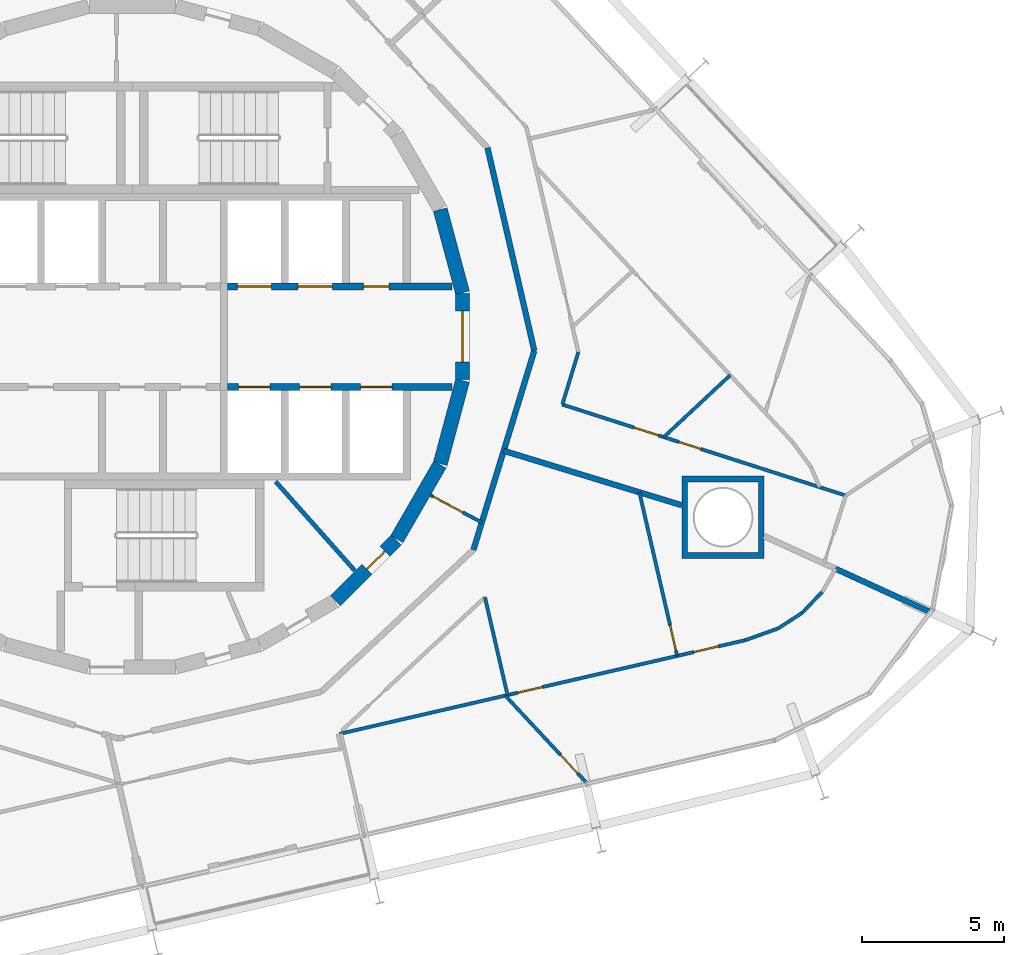
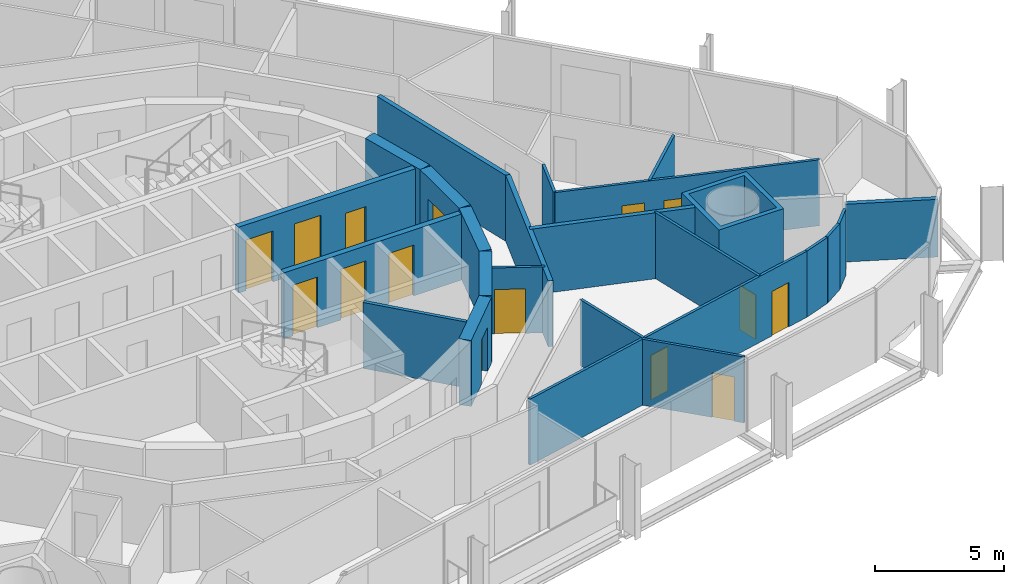
# One storey, part 14 of 18: 24 walls, 15 doors, 15 openings.
"""IFC4 building model written with IfcOpenShell, lengths in metres."""

from ifc_helpers import new_model, si_unit, direction, frame, frame_2d, origin, place, context, subcontext, project, spatial, polyline, rectangle, outline, extrude, material, layer, layer_set, type_object, element, fill, save


model = new_model("IFC4")

# Units and contexts
model_context = context("Model", 3, precision=1e-05, world=origin(), true_north=direction((0.0, 1.0)))
body_context = subcontext(model_context, "Body", "Model", "MODEL_VIEW")
ifc_project = project(units=[si_unit("LENGTHUNIT", "METRE"), si_unit("AREAUNIT", "SQUARE_METRE"), si_unit("VOLUMEUNIT", "CUBIC_METRE"), si_unit("PLANEANGLEUNIT", "RADIAN"), si_unit("MASSUNIT", "GRAM", prefix="KILO")], contexts=[model_context])

# Site, building, storey
site_placement = place(None, origin())
site = spatial("IfcSite", under=ifc_project, at=site_placement, CompositionType="ELEMENT")
building_placement = place(site_placement, origin())
building = spatial("IfcBuilding", under=site, at=building_placement, Name="Spindle Arch Residences", CompositionType="ELEMENT")
storey_placement = place(building_placement, frame((0.0, 0.0, 116.89990234375)))
storey = spatial("IfcBuildingStorey", under=building, at=storey_placement, Name="L28", CompositionType="ELEMENT", Elevation=116.89990234375)

# Wall, opening, door
ifc_material_1 = material(Name="Concrete C50/60", Category="concrete")
ifc_layer_1 = layer(ifc_material_1, 0.5)
ifc_layer_set_1 = layer_set([ifc_layer_1], Name="Core outline wall 500")
wall_type_1 = type_object("IfcWallType", Name="Core outline wall 500", PredefinedType="SHEAR", material=ifc_layer_set_1)
wall_1_placement = place(storey_placement, frame((7.163818359375, -9.30810546875, 0.0), z_axis=(0.0, 0.0, 1.0), x_axis=(0.707106781187, 0.707106781187, 0.0)))
wall_1 = element("IfcWall", 1, at=wall_1_placement, inside=storey, type_object=wall_type_1, Name="Core outline wall 3", PredefinedType="SHEAR", context=body_context, shape_type="SweptSolid", body=[
    extrude(rectangle(XDim=3.032470703125, YDim=0.5, at=frame_2d((1.51611328125, 0.0))), origin(), (0.0, 0.0, 1.0), 3.1201171875),
])
opening_1_placement = place(wall_1_placement, frame((1.56640625, 0.0, 0.0)))
opening_1 = element("IfcOpeningElement", 2, at=opening_1_placement, cuts=wall_1, Name="Opening R3A1-WD08", PredefinedType="OPENING", context=body_context, shape_type="SweptSolid", body=[
    extrude(rectangle(XDim=0.89990234375, YDim=2.10009765625, at=frame_2d((0.449951171875, 1.050048828125))), frame((0.0, 0.260009765625, 0.0), z_axis=(0.0, -1.0, 0.0), x_axis=(1.0, 0.0, 0.0)), (0.0, 0.0, 1.0), 0.52001953125),
])
ifc_material_2 = material(Name="Steel, fire-resisting door", Category="steel")
door_type_1 = type_object("IfcDoorType", Name="Service room door 900x2100", OperationType="SINGLE_SWING_LEFT", PredefinedType="DOOR", material=ifc_material_2)
door_1_placement = place(opening_1_placement, origin())
door_1 = element("IfcDoor", 3, at=door_1_placement, inside=storey, type_object=door_type_1, Name="Service room door R3A1-WD08", OperationType="SINGLE_SWING_LEFT", OverallHeight=2.10009765625, OverallWidth=0.89990234375, PredefinedType="DOOR", context=body_context, shape_type="SweptSolid", body=[
    extrude(rectangle(XDim=0.89990234375, YDim=2.10009765625, at=frame_2d((0.449951171875, 1.050048828125))), frame((0.0, 0.02490234375, 0.0), z_axis=(0.0, -1.0, 0.0), x_axis=(1.0, 0.0, 0.0)), (0.0, 0.0, 1.0), 0.050048828125),
])
fill(opening_1, door_1)

# Walls
for number, where, z_axis, x_axis, name in (
    (4, (9.32861328125, -7.13671875, 0.0), (0.0, 0.0, 1.0), (0.500087131594, 0.865975092491, 0.0), "Core outline wall 4"),
    (5, (10.858154296875, -4.479248046875, 0.0), (0.0, 0.0, 1.0), (0.258734743916, 0.965948410781, 0.0), "Core outline wall 5"),
):
    element("IfcWall", number, at=place(storey_placement, frame(where, z_axis=z_axis, x_axis=x_axis)), inside=storey, type_object=wall_type_1, Name=name, PredefinedType="SHEAR", context=body_context, shape_type="SweptSolid", body=[
        extrude(rectangle(XDim=3.03271484375, YDim=0.5, at=frame_2d((1.516357421875, 0.0))), origin(), (0.0, 0.0, 1.0), 3.1201171875),
    ])

# Wall, opening, door
wall_2_placement = place(storey_placement, frame((11.647216796875, -1.516357421875, 0.0), z_axis=(0.0, 0.0, 1.0), x_axis=(0.0, 1.0, 0.0)))
wall_2 = element("IfcWall", 6, at=wall_2_placement, inside=storey, type_object=wall_type_1, Name="Core outline wall 6", PredefinedType="SHEAR", context=body_context, shape_type="SweptSolid", body=[
    extrude(rectangle(XDim=3.03271484375, YDim=0.5, at=frame_2d((1.516357421875, 0.0))), origin(), (0.0, 0.0, 1.0), 3.1201171875),
])
opening_2_placement = place(wall_2_placement, frame((0.6162109375, 0.0, 0.0)))
opening_2 = element("IfcOpeningElement", 7, at=opening_2_placement, cuts=wall_2, Name="Opening R3A1-FE01", PredefinedType="OPENING", context=body_context, shape_type="SweptSolid", body=[
    extrude(rectangle(XDim=1.800048828125, YDim=2.10009765625, at=frame_2d((0.89990234375, 1.050048828125))), frame((0.0, 0.260009765625, 0.0), z_axis=(0.0, -1.0, 0.0), x_axis=(1.0, 0.0, 0.0)), (0.0, 0.0, 1.0), 0.52001953125),
])
ifc_material_3 = material(Name="Steel, fire-resisting door", Category="steel")
door_type_2 = type_object("IfcDoorType", Name="Fire-lift lobby door 1800x2100", OperationType="DOUBLE_DOOR_SINGLE_SWING", PredefinedType="DOOR", material=ifc_material_3)
door_2_placement = place(opening_2_placement, origin())
door_2 = element("IfcDoor", 8, at=door_2_placement, inside=storey, type_object=door_type_2, Name="Fire-lift lobby door R3A1-FE01", OperationType="DOUBLE_DOOR_SINGLE_SWING", OverallHeight=2.10009765625, OverallWidth=1.800048828125, PredefinedType="DOOR", context=body_context, shape_type="SweptSolid", body=[
    extrude(rectangle(XDim=1.800048828125, YDim=2.10009765625, at=frame_2d((0.89990234375, 1.050048828125))), frame((0.0, 0.02490234375, 0.0), z_axis=(0.0, -1.0, 0.0), x_axis=(1.0, 0.0, 0.0)), (0.0, 0.0, 1.0), 0.050048828125),
])
fill(opening_2, door_2)

# Wall
wall_3_placement = place(storey_placement, frame((11.642822265625, 1.5498046875, 0.0), z_axis=(0.0, 0.0, 1.0), x_axis=(-0.258734743916, 0.965948410781, 0.0)))
element("IfcWall", 9, at=wall_3_placement, inside=storey, type_object=wall_type_1, Name="Core outline wall 7", PredefinedType="SHEAR", context=body_context, shape_type="SweptSolid", body=[
    extrude(rectangle(XDim=3.03271484375, YDim=0.5, at=frame_2d((1.516357421875, 0.0))), origin(), (0.0, 0.0, 1.0), 3.1201171875),
])

# Wall, opening, door
ifc_material_4 = material(Name="Plasterboard on steel studs", Category="steel")
ifc_layer_2 = layer(ifc_material_4, 0.1201171875)
ifc_layer_set_2 = layer_set([ifc_layer_2], Name="Corridor division wall 120")
wall_type_2 = type_object("IfcWallType", Name="Corridor division wall 120", PredefinedType="PARTITIONING", material=ifc_layer_set_2)
wall_4_placement = place(storey_placement, frame((10.510986328125, -5.5888671875, 0.0), z_axis=(0.0, 0.0, 1.0), x_axis=(0.882987820808, -0.469395897196, 0.0)))
wall_4 = element("IfcWall", 10, at=wall_4_placement, inside=storey, type_object=wall_type_2, Name="Corridor division wall R3A1-W002", PredefinedType="PARTITIONING", context=body_context, shape_type="SweptSolid", body=[
    extrude(rectangle(XDim=2.0517578125, YDim=0.1201171875, at=frame_2d((1.02587890625, 0.0))), origin(), (0.0, 0.0, 1.0), 3.1201171875),
])
opening_3_placement = place(wall_4_placement, frame((0.10009765625, 0.0, 0.0)))
opening_3 = element("IfcOpeningElement", 11, at=opening_3_placement, cuts=wall_4, Name="Opening R3A1-CD02", PredefinedType="OPENING", context=body_context, shape_type="SweptSolid", body=[
    extrude(rectangle(XDim=1.199951171875, YDim=2.10009765625, at=frame_2d((0.60009765625, 1.050048828125))), frame((0.0, 0.070068359375, 0.0), z_axis=(0.0, -1.0, 0.0), x_axis=(1.0, 0.0, 0.0)), (0.0, 0.0, 1.0), 0.14013671875),
])
ifc_material_5 = material(Name="Steel, fire-resisting door", Category="steel")
door_type_3 = type_object("IfcDoorType", Name="Corridor division door 1200x2100", OperationType="NOTDEFINED", PredefinedType="DOOR", material=ifc_material_5)
door_3_placement = place(opening_3_placement, origin())
door_3 = element("IfcDoor", 12, at=door_3_placement, inside=storey, type_object=door_type_3, Name="Corridor division door R3A1-CD02", OperationType="DOUBLE_DOOR_SINGLE_SWING", OverallHeight=2.10009765625, OverallWidth=1.199951171875, PredefinedType="DOOR", context=body_context, shape_type="SweptSolid", body=[
    extrude(rectangle(XDim=1.199951171875, YDim=2.10009765625, at=frame_2d((0.60009765625, 1.050048828125))), frame((0.0, 0.02490234375, 0.0), z_axis=(0.0, -1.0, 0.0), x_axis=(1.0, 0.0, 0.0)), (0.0, 0.0, 1.0), 0.050048828125),
])
fill(opening_3, door_3)

# Walls
ifc_material_6 = material(Name="Calcium silicate block, plastered")
ifc_layer_3 = layer(ifc_material_6, 0.199951171875)
ifc_layer_set_3 = layer_set([ifc_layer_3], Name="Corridor wall 200")
wall_type_3 = type_object("IfcWallType", Name="Corridor wall 200", PredefinedType="STANDARD", material=ifc_layer_set_3)
wall_5_placement = place(storey_placement, frame((12.028076171875, -7.51611328125, 0.0), z_axis=(0.0, 0.0, 1.0), x_axis=(0.292365533182, 0.956306642771, 0.0)))
element("IfcWall", 13, at=wall_5_placement, inside=storey, type_object=wall_type_3, Name="Corridor wall R3A1-W004", PredefinedType="STANDARD", context=body_context, shape_type="SweptSolid", body=[
    extrude(rectangle(XDim=7.341796875, YDim=0.199951171875, at=frame_2d((3.6708984375, 0.0))), origin(), (0.0, 0.0, 1.0), 3.1201171875),
])
wall_6_placement = place(storey_placement, frame((14.174560546875, -0.4951171875, 0.0), z_axis=(0.0, 0.0, 1.0), x_axis=(-0.224922649383, 0.974376622151, 0.0)))
element("IfcWall", 14, at=wall_6_placement, inside=storey, type_object=wall_type_3, Name="Corridor wall R3A1-W005", PredefinedType="STANDARD", context=body_context, shape_type="SweptSolid", body=[
    extrude(rectangle(XDim=7.342041015625, YDim=0.199951171875, at=frame_2d((3.6708984375, 0.0))), origin(), (0.0, 0.0, 1.0), 3.1201171875),
])

# Wall, openings, doors
ifc_material_7 = material(Name="Concrete C40/50", Category="concrete")
ifc_layer_4 = layer(ifc_material_7, 0.25)
ifc_layer_set_4 = layer_set([ifc_layer_4], Name="Fire-lift lobby wall 250")
wall_type_4 = type_object("IfcWallType", Name="Fire-lift lobby wall 250", PredefinedType="SHEAR", material=ifc_layer_set_4)
wall_7_placement = place(storey_placement, frame((3.35009765625, 1.77490234375, 0.0), z_axis=(0.0, 0.0, 1.0), x_axis=(1.0, 0.0, 0.0)))
wall_7 = element("IfcWall", 15, at=wall_7_placement, inside=storey, type_object=wall_type_4, Name="Lift shaft front wall NE", PredefinedType="SHEAR", context=body_context, shape_type="SweptSolid", body=[
    extrude(rectangle(XDim=7.929931640625, YDim=0.25, at=frame_2d((3.96484375, 0.0))), origin(), (0.0, 0.0, 1.0), 3.1201171875),
])
opening_4_placement = place(wall_7_placement, frame((0.35009765625, 0.0, 0.0)))
opening_4 = element("IfcOpeningElement", 16, at=opening_4_placement, cuts=wall_7, Name="Opening R3A1-SLD01", PredefinedType="OPENING", context=body_context, shape_type="SweptSolid", body=[
    extrude(rectangle(XDim=1.199951171875, YDim=2.39990234375, at=frame_2d((0.60009765625, 1.199951171875))), frame((0.0, 0.135009765625, 0.0), z_axis=(0.0, -1.0, 0.0), x_axis=(1.0, 0.0, 0.0)), (0.0, 0.0, 1.0), 0.27001953125),
])
opening_5_placement = place(wall_7_placement, frame((2.5, 0.0, 0.0)))
opening_5 = element("IfcOpeningElement", 17, at=opening_5_placement, cuts=wall_7, Name="Opening R3A1-SLD02", PredefinedType="OPENING", context=body_context, shape_type="SweptSolid", body=[
    extrude(rectangle(XDim=1.199951171875, YDim=2.39990234375, at=frame_2d((0.60009765625, 1.199951171875))), frame((0.0, 0.135009765625, 0.0), z_axis=(0.0, -1.0, 0.0), x_axis=(1.0, 0.0, 0.0)), (0.0, 0.0, 1.0), 0.27001953125),
])
opening_6_placement = place(wall_7_placement, frame((4.800048828125, 0.0, 0.0)))
opening_6 = element("IfcOpeningElement", 18, at=opening_6_placement, cuts=wall_7, Name="Opening R3A1-WD03", PredefinedType="OPENING", context=body_context, shape_type="SweptSolid", body=[
    extrude(rectangle(XDim=0.89990234375, YDim=2.10009765625, at=frame_2d((0.449951171875, 1.050048828125))), frame((0.0, 0.135009765625, 0.0), z_axis=(0.0, -1.0, 0.0), x_axis=(1.0, 0.0, 0.0)), (0.0, 0.0, 1.0), 0.27001953125),
])
ifc_material_8 = material(Name="Steel, fire-resisting landing door", Category="steel")
door_type_4 = type_object("IfcDoorType", Name="Service lift landing door 1200x2400", OperationType="DOUBLE_DOOR_SLIDING", PredefinedType="DOOR", material=ifc_material_8)
door_4_placement = place(opening_4_placement, origin())
door_4 = element("IfcDoor", 19, at=door_4_placement, inside=storey, type_object=door_type_4, Name="Service lift landing door R3A1-SLD01", OperationType="DOUBLE_DOOR_SLIDING", OverallHeight=2.39990234375, OverallWidth=1.199951171875, PredefinedType="DOOR", context=body_context, shape_type="SweptSolid", body=[
    extrude(rectangle(XDim=1.199951171875, YDim=2.39990234375, at=frame_2d((0.60009765625, 1.199951171875))), frame((0.0, 0.02490234375, 0.0), z_axis=(0.0, -1.0, 0.0), x_axis=(1.0, 0.0, 0.0)), (0.0, 0.0, 1.0), 0.050048828125),
])
fill(opening_4, door_4)
door_5_placement = place(opening_5_placement, origin())
door_5 = element("IfcDoor", 20, at=door_5_placement, inside=storey, type_object=door_type_4, Name="Service lift landing door R3A1-SLD02", OperationType="DOUBLE_DOOR_SLIDING", OverallHeight=2.39990234375, OverallWidth=1.199951171875, PredefinedType="DOOR", context=body_context, shape_type="SweptSolid", body=[
    extrude(rectangle(XDim=1.199951171875, YDim=2.39990234375, at=frame_2d((0.60009765625, 1.199951171875))), frame((0.0, 0.02490234375, 0.0), z_axis=(0.0, -1.0, 0.0), x_axis=(1.0, 0.0, 0.0)), (0.0, 0.0, 1.0), 0.050048828125),
])
fill(opening_5, door_5)
door_6_placement = place(opening_6_placement, origin())
door_6 = element("IfcDoor", 21, at=door_6_placement, inside=storey, type_object=door_type_1, Name="Service room door R3A1-WD03", OperationType="SINGLE_SWING_RIGHT", OverallHeight=2.10009765625, OverallWidth=0.89990234375, PredefinedType="DOOR", context=body_context, shape_type="SweptSolid", body=[
    extrude(rectangle(XDim=0.89990234375, YDim=2.10009765625, at=frame_2d((0.449951171875, 1.050048828125))), frame((0.0, 0.02490234375, 0.0), z_axis=(0.0, -1.0, 0.0), x_axis=(1.0, 0.0, 0.0)), (0.0, 0.0, 1.0), 0.050048828125),
])
fill(opening_6, door_6)

ifc_material_9 = material(Name="Concrete C50/60", Category="concrete")
ifc_layer_5 = layer(ifc_material_9, 0.25)
ifc_layer_set_5 = layer_set([ifc_layer_5], Name="Fire-lift shaft wall 250")
wall_type_5 = type_object("IfcWallType", Name="Fire-lift shaft wall 250", PredefinedType="SHEAR", material=ifc_layer_set_5)
wall_8_placement = place(storey_placement, frame((3.35009765625, -1.77490234375, 0.0), z_axis=(0.0, 0.0, 1.0), x_axis=(1.0, 0.0, 0.0)))
wall_8 = element("IfcWall", 22, at=wall_8_placement, inside=storey, type_object=wall_type_5, Name="Lift shaft front wall SE", PredefinedType="SHEAR", context=body_context, shape_type="SweptSolid", body=[
    extrude(rectangle(XDim=7.929931640625, YDim=0.25, at=frame_2d((3.96484375, 0.0))), origin(), (0.0, 0.0, 1.0), 3.1201171875),
])
opening_7_placement = place(wall_8_placement, frame((0.39990234375, 0.0, 0.0)))
opening_7 = element("IfcOpeningElement", 23, at=opening_7_placement, cuts=wall_8, Name="Opening R3A1-FLD01", PredefinedType="OPENING", context=body_context, shape_type="SweptSolid", body=[
    extrude(rectangle(XDim=1.10009765625, YDim=2.39990234375, at=frame_2d((0.550048828125, 1.199951171875))), frame((0.0, 0.135009765625, 0.0), z_axis=(0.0, -1.0, 0.0), x_axis=(1.0, 0.0, 0.0)), (0.0, 0.0, 1.0), 0.27001953125),
])
opening_8_placement = place(wall_8_placement, frame((2.550048828125, 0.0, 0.0)))
opening_8 = element("IfcOpeningElement", 24, at=opening_8_placement, cuts=wall_8, Name="Opening R3A1-FLD02", PredefinedType="OPENING", context=body_context, shape_type="SweptSolid", body=[
    extrude(rectangle(XDim=1.10009765625, YDim=2.39990234375, at=frame_2d((0.550048828125, 1.199951171875))), frame((0.0, 0.135009765625, 0.0), z_axis=(0.0, -1.0, 0.0), x_axis=(1.0, 0.0, 0.0)), (0.0, 0.0, 1.0), 0.27001953125),
])
opening_9_placement = place(wall_8_placement, frame((4.699951171875, 0.0, 0.0)))
opening_9 = element("IfcOpeningElement", 25, at=opening_9_placement, cuts=wall_8, Name="Opening R3A1-FLD03", PredefinedType="OPENING", context=body_context, shape_type="SweptSolid", body=[
    extrude(rectangle(XDim=1.10009765625, YDim=2.39990234375, at=frame_2d((0.550048828125, 1.199951171875))), frame((0.0, 0.135009765625, 0.0), z_axis=(0.0, -1.0, 0.0), x_axis=(1.0, 0.0, 0.0)), (0.0, 0.0, 1.0), 0.27001953125),
])
ifc_material_10 = material(Name="Steel, fire-resisting landing door", Category="steel")
door_type_5 = type_object("IfcDoorType", Name="Fire-fighting lift landing door 1100x2400", OperationType="DOUBLE_DOOR_SLIDING", PredefinedType="DOOR", material=ifc_material_10)
door_7_placement = place(opening_7_placement, origin())
door_7 = element("IfcDoor", 26, at=door_7_placement, inside=storey, type_object=door_type_5, Name="Fire-fighting lift landing door R3A1-FLD01", OperationType="DOUBLE_DOOR_SLIDING", OverallHeight=2.39990234375, OverallWidth=1.10009765625, PredefinedType="DOOR", context=body_context, shape_type="SweptSolid", body=[
    extrude(rectangle(XDim=1.10009765625, YDim=2.39990234375, at=frame_2d((0.550048828125, 1.199951171875))), frame((0.0, 0.02490234375, 0.0), z_axis=(0.0, -1.0, 0.0), x_axis=(1.0, 0.0, 0.0)), (0.0, 0.0, 1.0), 0.050048828125),
])
fill(opening_7, door_7)
door_8_placement = place(opening_8_placement, origin())
door_8 = element("IfcDoor", 27, at=door_8_placement, inside=storey, type_object=door_type_5, Name="Fire-fighting lift landing door R3A1-FLD02", OperationType="DOUBLE_DOOR_SLIDING", OverallHeight=2.39990234375, OverallWidth=1.10009765625, PredefinedType="DOOR", context=body_context, shape_type="SweptSolid", body=[
    extrude(rectangle(XDim=1.10009765625, YDim=2.39990234375, at=frame_2d((0.550048828125, 1.199951171875))), frame((0.0, 0.02490234375, 0.0), z_axis=(0.0, -1.0, 0.0), x_axis=(1.0, 0.0, 0.0)), (0.0, 0.0, 1.0), 0.050048828125),
])
fill(opening_8, door_8)
door_9_placement = place(opening_9_placement, origin())
door_9 = element("IfcDoor", 28, at=door_9_placement, inside=storey, type_object=door_type_5, Name="Fire-fighting lift landing door R3A1-FLD03", OperationType="DOUBLE_DOOR_SLIDING", OverallHeight=2.39990234375, OverallWidth=1.10009765625, PredefinedType="DOOR", context=body_context, shape_type="SweptSolid", body=[
    extrude(rectangle(XDim=1.10009765625, YDim=2.39990234375, at=frame_2d((0.550048828125, 1.199951171875))), frame((0.0, 0.02490234375, 0.0), z_axis=(0.0, -1.0, 0.0), x_axis=(1.0, 0.0, 0.0)), (0.0, 0.0, 1.0), 0.050048828125),
])
fill(opening_9, door_9)

ifc_material_11 = material(Name="Plasterboard on steel studs", Category="steel")
ifc_layer_6 = layer(ifc_material_11, 0.1201171875)
ifc_layer_set_6 = layer_set([ifc_layer_6], Name="Flat partition 120")
wall_type_6 = type_object("IfcWallType", Name="Flat partition 120", PredefinedType="PARTITIONING", material=ifc_layer_set_6)
wall_9_placement = place(storey_placement, frame((25.15771484375, -5.60302734375, 0.0), z_axis=(0.0, 0.0, 1.0), x_axis=(-0.952147783118, 0.305638019729, 0.0)))
wall_9 = element("IfcWall", 29, at=wall_9_placement, inside=storey, type_object=wall_type_6, Name="Flat partition R3A1-W033", PredefinedType="PARTITIONING", context=body_context, shape_type="SweptSolid", body=[
    extrude(rectangle(XDim=10.497802734375, YDim=0.1201171875, at=frame_2d((5.2490234375, 0.0))), origin(), (0.0, 0.0, 1.0), 3.1201171875),
])
opening_10_placement = place(wall_9_placement, frame((5.373046875, 0.0, 0.0)))
opening_10 = element("IfcOpeningElement", 30, at=opening_10_placement, cuts=wall_9, Name="Opening R3A1-BD02", PredefinedType="OPENING", context=body_context, shape_type="SweptSolid", body=[
    extrude(rectangle(XDim=0.800048828125, YDim=2.10009765625, at=frame_2d((0.39990234375, 1.050048828125))), frame((0.0, 0.070068359375, 0.0), z_axis=(0.0, -1.0, 0.0), x_axis=(1.0, 0.0, 0.0)), (0.0, 0.0, 1.0), 0.14013671875),
])
opening_11_placement = place(wall_9_placement, frame((6.941162109375, 0.0, 0.0)))
opening_11 = element("IfcOpeningElement", 31, at=opening_11_placement, cuts=wall_9, Name="Opening R3A1-ID03", PredefinedType="OPENING", context=body_context, shape_type="SweptSolid", body=[
    extrude(rectangle(XDim=0.89990234375, YDim=2.10009765625, at=frame_2d((0.449951171875, 1.050048828125))), frame((0.0, 0.070068359375, 0.0), z_axis=(0.0, -1.0, 0.0), x_axis=(1.0, 0.0, 0.0)), (0.0, 0.0, 1.0), 0.14013671875),
])
ifc_material_12 = material(Name="Timber door set", Category="wood")
door_type_6 = type_object("IfcDoorType", Name="Bathroom door 800x2100", OperationType="NOTDEFINED", PredefinedType="DOOR", material=ifc_material_12)
door_10_placement = place(opening_10_placement, origin())
door_10 = element("IfcDoor", 32, at=door_10_placement, inside=storey, type_object=door_type_6, Name="Bathroom door R3A1-BD02", OperationType="SINGLE_SWING_LEFT", OverallHeight=2.10009765625, OverallWidth=0.800048828125, PredefinedType="DOOR", context=body_context, shape_type="SweptSolid", body=[
    extrude(rectangle(XDim=0.800048828125, YDim=2.10009765625, at=frame_2d((0.39990234375, 1.050048828125))), frame((0.0, 0.02490234375, 0.0), z_axis=(0.0, -1.0, 0.0), x_axis=(1.0, 0.0, 0.0)), (0.0, 0.0, 1.0), 0.050048828125),
])
fill(opening_10, door_10)
ifc_material_13 = material(Name="Timber door set", Category="wood")
door_type_7 = type_object("IfcDoorType", Name="Room door 900x2100", OperationType="NOTDEFINED", PredefinedType="DOOR", material=ifc_material_13)
door_11_placement = place(opening_11_placement, origin())
door_11 = element("IfcDoor", 33, at=door_11_placement, inside=storey, type_object=door_type_7, Name="Room door R3A1-ID03", OperationType="SINGLE_SWING_LEFT", OverallHeight=2.10009765625, OverallWidth=0.89990234375, PredefinedType="DOOR", context=body_context, shape_type="SweptSolid", body=[
    extrude(rectangle(XDim=0.89990234375, YDim=2.10009765625, at=frame_2d((0.449951171875, 1.050048828125))), frame((0.0, 0.02490234375, 0.0), z_axis=(0.0, -1.0, 0.0), x_axis=(1.0, 0.0, 0.0)), (0.0, 0.0, 1.0), 0.050048828125),
])
fill(opening_11, door_11)

# Walls
wall_10_placement = place(storey_placement, frame((15.162353515625, -2.39453125, 0.0), z_axis=(0.0, 0.0, 1.0), x_axis=(0.292404972776, 0.956294584266, 0.0)))
element("IfcWall", 34, at=wall_10_placement, inside=storey, type_object=wall_type_6, Name="Flat partition R3A1-W034", PredefinedType="PARTITIONING", context=body_context, shape_type="SweptSolid", body=[
    extrude(rectangle(XDim=1.929443359375, YDim=0.1201171875, at=frame_2d((0.96484375, 0.0))), origin(), (0.0, 0.0, 1.0), 3.1201171875),
])
wall_11_placement = place(storey_placement, frame((21.080810546875, -1.35888671875, 0.0), z_axis=(0.0, 0.0, 1.0), x_axis=(-0.731341711004, -0.682011218196, 0.0)))
element("IfcWall", 35, at=wall_11_placement, inside=storey, type_object=wall_type_6, Name="Flat partition R3A1-W043", PredefinedType="PARTITIONING", context=body_context, shape_type="SweptSolid", body=[
    extrude(rectangle(XDim=3.2021484375, YDim=0.1201171875, at=frame_2d((1.60107421875, 0.0))), origin(), (0.0, 0.0, 1.0), 3.1201171875),
])
wall_12_placement = place(storey_placement, frame((12.43359375, -9.188720703125, 0.0), z_axis=(0.0, 0.0, 1.0), x_axis=(0.224924972887, -0.974376085796, 0.0)))
element("IfcWall", 36, at=wall_12_placement, inside=storey, type_object=wall_type_6, Name="Flat partition R3A1-W107", PredefinedType="PARTITIONING", context=body_context, shape_type="SweptSolid", body=[
    extrude(rectangle(XDim=3.540771484375, YDim=0.1201171875, at=frame_2d((1.7705078125, 0.0))), origin(), (0.0, 0.0, 1.0), 3.1201171875),
])

# Wall, openings, doors
wall_13_placement = place(storey_placement, frame((7.3125, -14.0048828125, 0.0), z_axis=(0.0, 0.0, 1.0), x_axis=(0.974367924791, 0.224960323474, 0.0)))
wall_13 = element("IfcWall", 37, at=wall_13_placement, inside=storey, type_object=wall_type_6, Name="Flat partition R3A1-W108", PredefinedType="PARTITIONING", context=body_context, shape_type="SweptSolid", body=[
    extrude(rectangle(XDim=14.67919921875, YDim=0.1201171875, at=frame_2d((7.339599609375, 0.0))), origin(), (0.0, 0.0, 1.0), 3.1201171875),
])
opening_12_placement = place(wall_13_placement, frame((6.433349609375, 0.0, 0.0)))
opening_12 = element("IfcOpeningElement", 38, at=opening_12_placement, cuts=wall_13, Name="Opening R3A1-ID28", PredefinedType="OPENING", context=body_context, shape_type="SweptSolid", body=[
    extrude(rectangle(XDim=0.89990234375, YDim=2.10009765625, at=frame_2d((0.449951171875, 1.050048828125))), frame((0.0, 0.070068359375, 0.0), z_axis=(0.0, -1.0, 0.0), x_axis=(1.0, 0.0, 0.0)), (0.0, 0.0, 1.0), 0.14013671875),
])
opening_13_placement = place(wall_13_placement, frame((12.811767578125, 0.0, 0.0)))
opening_13 = element("IfcOpeningElement", 39, at=opening_13_placement, cuts=wall_13, Name="Opening R3A1-ID31", PredefinedType="OPENING", context=body_context, shape_type="SweptSolid", body=[
    extrude(rectangle(XDim=0.89990234375, YDim=2.10009765625, at=frame_2d((0.449951171875, 1.050048828125))), frame((0.0, 0.070068359375, 0.0), z_axis=(0.0, -1.0, 0.0), x_axis=(1.0, 0.0, 0.0)), (0.0, 0.0, 1.0), 0.14013671875),
])
door_12_placement = place(opening_12_placement, origin())
door_12 = element("IfcDoor", 40, at=door_12_placement, inside=storey, type_object=door_type_7, Name="Room door R3A1-ID28", OperationType="SINGLE_SWING_RIGHT", OverallHeight=2.10009765625, OverallWidth=0.89990234375, PredefinedType="DOOR", context=body_context, shape_type="SweptSolid", body=[
    extrude(rectangle(XDim=0.89990234375, YDim=2.10009765625, at=frame_2d((0.449951171875, 1.050048828125))), frame((0.0, 0.02490234375, 0.0), z_axis=(0.0, -1.0, 0.0), x_axis=(1.0, 0.0, 0.0)), (0.0, 0.0, 1.0), 0.050048828125),
])
fill(opening_12, door_12)
door_13_placement = place(opening_13_placement, origin())
door_13 = element("IfcDoor", 41, at=door_13_placement, inside=storey, type_object=door_type_7, Name="Room door R3A1-ID31", OperationType="SINGLE_SWING_LEFT", OverallHeight=2.10009765625, OverallWidth=0.89990234375, PredefinedType="DOOR", context=body_context, shape_type="SweptSolid", body=[
    extrude(rectangle(XDim=0.89990234375, YDim=2.10009765625, at=frame_2d((0.449951171875, 1.050048828125))), frame((0.0, 0.02490234375, 0.0), z_axis=(0.0, -1.0, 0.0), x_axis=(1.0, 0.0, 0.0)), (0.0, 0.0, 1.0), 0.050048828125),
])
fill(opening_13, door_13)

# Wall, opening, door
wall_14_placement = place(storey_placement, frame((19.211181640625, -11.2578125, 0.0), z_axis=(0.0, 0.0, 1.0), x_axis=(-0.22499500936, 0.974359915926, 0.0)))
wall_14 = element("IfcWall", 42, at=wall_14_placement, inside=storey, type_object=wall_type_6, Name="Flat partition R3A1-W109", PredefinedType="PARTITIONING", context=body_context, shape_type="SweptSolid", body=[
    extrude(rectangle(XDim=5.92138671875, YDim=0.1201171875, at=frame_2d((2.960693359375, 0.0))), origin(), (0.0, 0.0, 1.0), 3.1201171875),
])
opening_14_placement = place(wall_14_placement, frame((0.199951171875, 0.0, 0.0)))
opening_14 = element("IfcOpeningElement", 43, at=opening_14_placement, cuts=wall_14, Name="Opening R3A1-ID29", PredefinedType="OPENING", context=body_context, shape_type="SweptSolid", body=[
    extrude(rectangle(XDim=0.89990234375, YDim=2.10009765625, at=frame_2d((0.449951171875, 1.050048828125))), frame((0.0, 0.070068359375, 0.0), z_axis=(0.0, -1.0, 0.0), x_axis=(1.0, 0.0, 0.0)), (0.0, 0.0, 1.0), 0.14013671875),
])
door_14_placement = place(opening_14_placement, origin())
door_14 = element("IfcDoor", 44, at=door_14_placement, inside=storey, type_object=door_type_7, Name="Room door R3A1-ID29", OperationType="SINGLE_SWING_RIGHT", OverallHeight=2.10009765625, OverallWidth=0.89990234375, PredefinedType="DOOR", context=body_context, shape_type="SweptSolid", body=[
    extrude(rectangle(XDim=0.89990234375, YDim=2.10009765625, at=frame_2d((0.449951171875, 1.050048828125))), frame((0.0, 0.02490234375, 0.0), z_axis=(0.0, -1.0, 0.0), x_axis=(1.0, 0.0, 0.0)), (0.0, 0.0, 1.0), 0.050048828125),
])
fill(opening_14, door_14)

wall_15_placement = place(storey_placement, frame((15.984619140625, -15.697509765625, 0.0), z_axis=(0.0, 0.0, 1.0), x_axis=(-0.681979185924, 0.731371581322, 0.0)))
wall_15 = element("IfcWall", 45, at=wall_15_placement, inside=storey, type_object=wall_type_6, Name="Flat partition R3A1-W111", PredefinedType="PARTITIONING", context=body_context, shape_type="SweptSolid", body=[
    extrude(rectangle(XDim=4.156982421875, YDim=0.1201171875, at=frame_2d((2.07861328125, 0.0))), origin(), (0.0, 0.0, 1.0), 3.1201171875),
])
opening_15_placement = place(wall_15_placement, frame((0.39990234375, 0.0, 0.0)))
opening_15 = element("IfcOpeningElement", 46, at=opening_15_placement, cuts=wall_15, Name="Opening R3A1-ID30", PredefinedType="OPENING", context=body_context, shape_type="SweptSolid", body=[
    extrude(rectangle(XDim=0.89990234375, YDim=2.10009765625, at=frame_2d((0.449951171875, 1.050048828125))), frame((0.0, 0.070068359375, 0.0), z_axis=(0.0, -1.0, 0.0), x_axis=(1.0, 0.0, 0.0)), (0.0, 0.0, 1.0), 0.14013671875),
])
door_15_placement = place(opening_15_placement, origin())
door_15 = element("IfcDoor", 47, at=door_15_placement, inside=storey, type_object=door_type_7, Name="Room door R3A1-ID30", OperationType="SINGLE_SWING_LEFT", OverallHeight=2.10009765625, OverallWidth=0.89990234375, PredefinedType="DOOR", context=body_context, shape_type="SweptSolid", body=[
    extrude(rectangle(XDim=0.89990234375, YDim=2.10009765625, at=frame_2d((0.449951171875, 1.050048828125))), frame((0.0, 0.02490234375, 0.0), z_axis=(0.0, -1.0, 0.0), x_axis=(1.0, 0.0, 0.0)), (0.0, 0.0, 1.0), 0.050048828125),
])
fill(opening_15, door_15)

# Walls
for number, where, z_axis, x_axis, name in (
    (48, (24.324462890625, -9.001708984375, 0.0), (0.0, 0.0, 1.0), (-0.690452883014, -0.723377367864, 0.0), "Flat partition R3A1-W113"),
    (49, (23.623046875, -9.736572265625, 0.0), (0.0, 0.0, 1.0), (-0.838718041084, -0.544565925816, 0.0), "Flat partition R3A1-W114"),
):
    element("IfcWall", number, at=place(storey_placement, frame(where, z_axis=z_axis, x_axis=x_axis)), inside=storey, type_object=wall_type_6, Name=name, PredefinedType="PARTITIONING", context=body_context, shape_type="SweptSolid", body=[
        extrude(rectangle(XDim=1.015869140625, YDim=0.1201171875, at=frame_2d((0.5078125, 0.0))), origin(), (0.0, 0.0, 1.0), 3.1201171875),
    ])
wall_16_placement = place(storey_placement, frame((22.77099609375, -10.289794921875, 0.0), z_axis=(0.0, 0.0, 1.0), x_axis=(-0.941701391526, -0.336449831623, 0.0)))
element("IfcWall", 50, at=wall_16_placement, inside=storey, type_object=wall_type_6, Name="Flat partition R3A1-W115", PredefinedType="PARTITIONING", context=body_context, shape_type="SweptSolid", body=[
    extrude(rectangle(XDim=1.22705078125, YDim=0.1201171875, at=frame_2d((0.613525390625, 0.0))), origin(), (0.0, 0.0, 1.0), 3.1201171875),
])
ifc_material_14 = material(Name="Calcium silicate block, plastered")
ifc_layer_7 = layer(ifc_material_14, 0.199951171875)
ifc_layer_set_7 = layer_set([ifc_layer_7], Name="Flat party wall 200")
wall_type_7 = type_object("IfcWallType", Name="Flat party wall 200", PredefinedType="STANDARD", material=ifc_layer_set_7)
wall_17_placement = place(storey_placement, frame((13.09521484375, -4.025634765625, 0.0), z_axis=(0.0, 0.0, 1.0), x_axis=(0.956303942966, -0.292374363904, 0.0)))
element("IfcWall", 51, at=wall_17_placement, inside=storey, type_object=wall_type_7, Name="Flat party wall R3A1-W017", PredefinedType="STANDARD", context=body_context, shape_type="SweptSolid", body=[
    extrude(rectangle(XDim=6.5673828125, YDim=0.199951171875, at=frame_2d((3.28369140625, 0.0))), origin(), (0.0, 0.0, 1.0), 3.1201171875),
])
ifc_material_15 = material(Name="Calcium silicate block, plastered")
ifc_layer_8 = layer(ifc_material_15, 0.199951171875)
ifc_layer_set_8 = layer_set([ifc_layer_8], Name="Flat party wall 200 under beam 2730")
wall_type_8 = type_object("IfcWallType", Name="Flat party wall 200 under beam 2730", PredefinedType="STANDARD", material=ifc_layer_set_8)
wall_18_placement = place(storey_placement, frame((24.8017578125, -8.18603515625, 0.0), z_axis=(0.0, 0.0, 1.0), x_axis=(0.909307466213, -0.416124899387, 0.0)))
element("IfcWall", 52, at=wall_18_placement, inside=storey, type_object=wall_type_8, Name="Flat party wall R3A1-W020", PredefinedType="STANDARD", context=body_context, shape_type="SweptSolid", body=[
    extrude(rectangle(XDim=3.6181640625, YDim=0.199951171875, at=frame_2d((1.80908203125, 0.0))), origin(), (0.0, 0.0, 1.0), 2.72998046875),
])
ifc_material_16 = material(Name="Calcium silicate block, plastered")
ifc_layer_9 = layer(ifc_material_16, 0.199951171875)
ifc_layer_set_9 = layer_set([ifc_layer_9], Name="Mega-column casing wall 200")
wall_type_9 = type_object("IfcWallType", Name="Mega-column casing wall 200", PredefinedType="STANDARD", material=ifc_layer_set_9)
wall_19_placement = place(storey_placement, origin())
element("IfcWall", 53, at=wall_19_placement, inside=storey, type_object=wall_type_9, Name="Mega-column casing wall R3A1-WC03", PredefinedType="STANDARD", context=body_context, shape_type="SweptSolid", body=[
    extrude(outline(polyline([(22.280029296875, -4.91845703125), (22.280029296875, -7.818359375), (19.3798828125, -7.818359375), (19.3798828125, -4.91845703125), (22.280029296875, -4.91845703125)]), holes=[polyline([(19.580078125, -7.618408203125), (22.080078125, -7.618408203125), (22.080078125, -5.118408203125), (19.580078125, -5.118408203125), (19.580078125, -7.618408203125)])]), origin(), (0.0, 0.0, 1.0), 3.1201171875),
])
ifc_material_17 = material(Name="Concrete C25/30", Category="concrete")
ifc_layer_10 = layer(ifc_material_17, 0.14990234375)
ifc_layer_set_10 = layer_set([ifc_layer_10], Name="Service room partition 150")
wall_type_10 = type_object("IfcWallType", Name="Service room partition 150", PredefinedType="PARTITIONING", material=ifc_layer_set_10)
wall_20_placement = place(storey_placement, frame((7.84228515625, -8.24755859375, 0.0), z_axis=(0.0, 0.0, 1.0), x_axis=(-0.66446128181, 0.747322691329, 0.0)))
element("IfcWall", 54, at=wall_20_placement, inside=storey, type_object=wall_type_10, Name="Core service room partition", PredefinedType="PARTITIONING", context=body_context, shape_type="SweptSolid", body=[
    extrude(rectangle(XDim=4.198486328125, YDim=0.14990234375, at=frame_2d((2.09912109375, 0.0))), origin(), (0.0, 0.0, 1.0), 3.1201171875),
])

save(model, "model.ifc")
